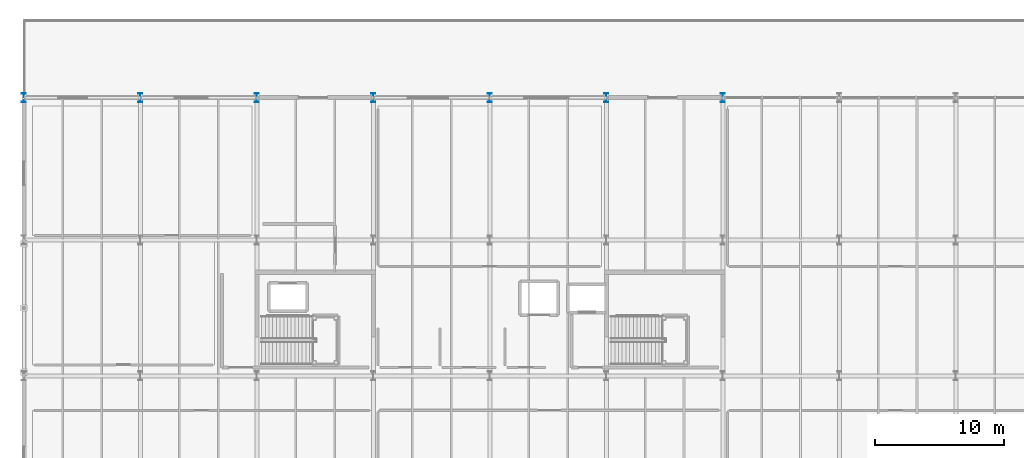
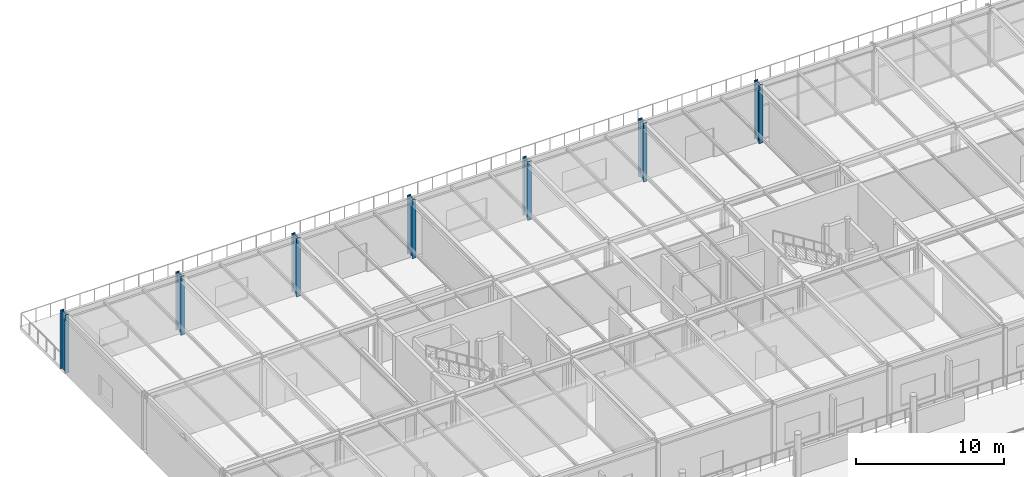
# One storey, part 25 of 143: 7 columns.
"""IFC4 building model written with IfcOpenShell, lengths in metres."""

from ifc_helpers import new_model, si_unit, direction, frame, origin, origin_2d, place, context, subcontext, project, spatial, i_section, extrude, material, material_profile, profile_set, type_object, element, save


model = new_model("IFC4")

# Units and contexts
model_context = context("Model", 3, precision=1e-05, world=origin(), true_north=direction((0.0, 1.0)))
body_context = subcontext(model_context, "Body", "Model", "MODEL_VIEW")
ifc_project = project(units=[si_unit("LENGTHUNIT", "METRE"), si_unit("AREAUNIT", "SQUARE_METRE"), si_unit("VOLUMEUNIT", "CUBIC_METRE"), si_unit("PLANEANGLEUNIT", "RADIAN"), si_unit("MASSUNIT", "GRAM", prefix="KILO")], contexts=[model_context])

# Site, building, storey
site_placement = place(None, origin())
site = spatial("IfcSite", under=ifc_project, at=site_placement, CompositionType="ELEMENT")
building_placement = place(site_placement, origin())
building = spatial("IfcBuilding", under=site, at=building_placement, Name="Marlcrest Central Station", CompositionType="ELEMENT")
storey_placement = place(building_placement, frame((0.0, 0.0, 4.800048828125)))
storey = spatial("IfcBuildingStorey", under=building, at=storey_placement, Name="L01", CompositionType="ELEMENT", Elevation=4.800048828125)

# Columns
ifc_material = material(Name="Steel S355", Category="steel")
ifc_material_profile = material_profile(ifc_material, i_section(OverallWidth=0.300048828125, OverallDepth=0.699951171875, WebThickness=0.01708984375, FlangeThickness=0.031982421875, FilletRadius=0.027099609375, at=origin_2d()), Name="HEB 700")
ifc_profile_set = profile_set([ifc_material_profile], Name="Steel S355")
column_type = type_object("IfcColumnType", Name="SC-07", PredefinedType="COLUMN", material=ifc_profile_set)
for number, where, z_axis, x_axis, name in (
    (1, (0.0, 132.0, 0.0), (0.0, 0.0, 1.0), (1.0, 0.0, 0.0), "col-SC-07-L01-0080"),
    (2, (9.0, 132.0, 0.0), (0.0, 0.0, 1.0), (1.0, 0.0, 0.0), "col-SC-07-L01-0084"),
    (3, (18.0, 132.0, 0.0), (0.0, 0.0, 1.0), (1.0, 0.0, 0.0), "col-SC-07-L01-0088"),
    (4, (27.0, 132.0, 0.0), (0.0, 0.0, 1.0), (1.0, 0.0, 0.0), "col-SC-07-L01-0092"),
    (5, (36.0, 132.0, 0.0), (0.0, 0.0, 1.0), (1.0, 0.0, 0.0), "col-SC-07-L01-0096"),
    (6, (45.0, 132.0, 0.0), (0.0, 0.0, 1.0), (1.0, 0.0, 0.0), "col-SC-07-L01-0100"),
    (7, (54.0, 132.0, 0.0), (0.0, 0.0, 1.0), (1.0, 0.0, 0.0), "col-SC-07-L01-0104"),
):
    element("IfcColumn", number, at=place(storey_placement, frame(where, z_axis=z_axis, x_axis=x_axis)), inside=storey, type_object=column_type, Name=name, PredefinedType="COLUMN", context=body_context, shape_type="SweptSolid", body=[
        extrude(i_section(OverallWidth=0.300048828125, OverallDepth=0.699951171875, WebThickness=0.01708984375, FlangeThickness=0.031982421875, FilletRadius=0.027099609375, at=origin_2d()), origin(), (0.0, 0.0, 1.0), 4.820068359375),
    ])

save(model, "model.ifc")
